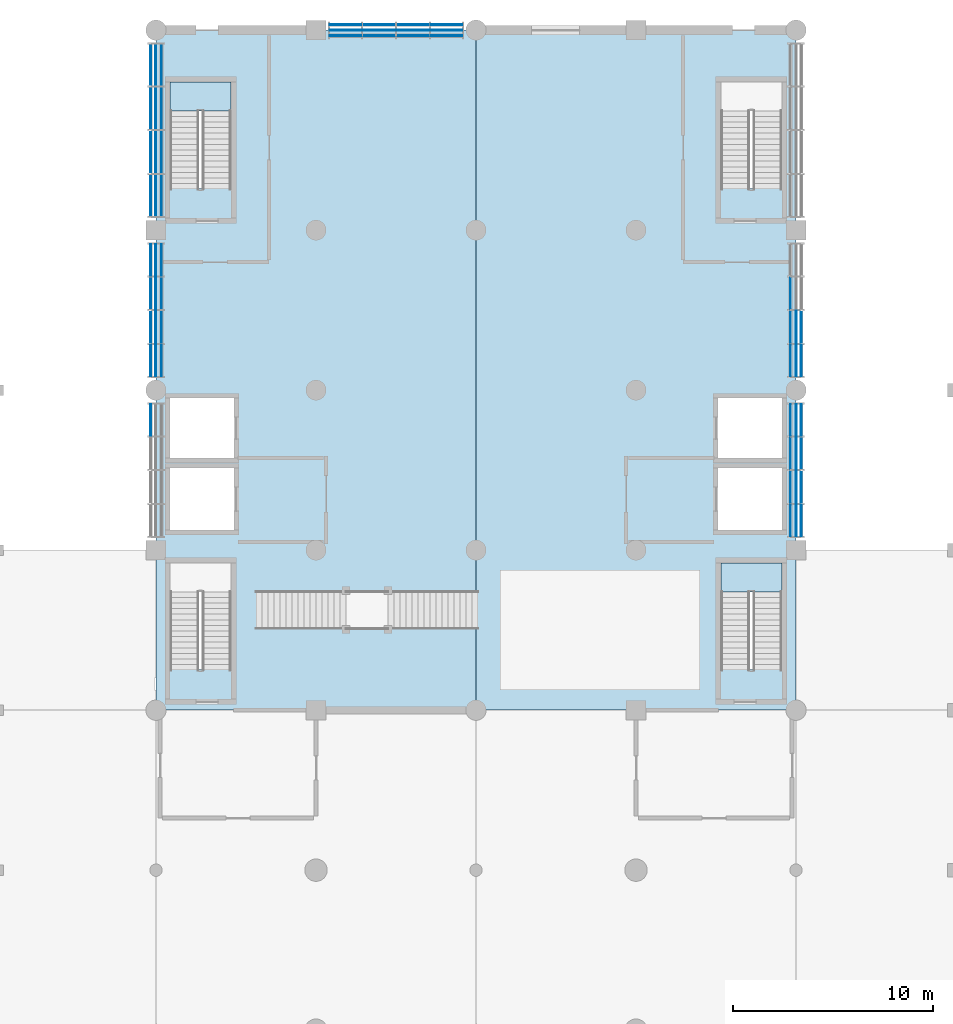
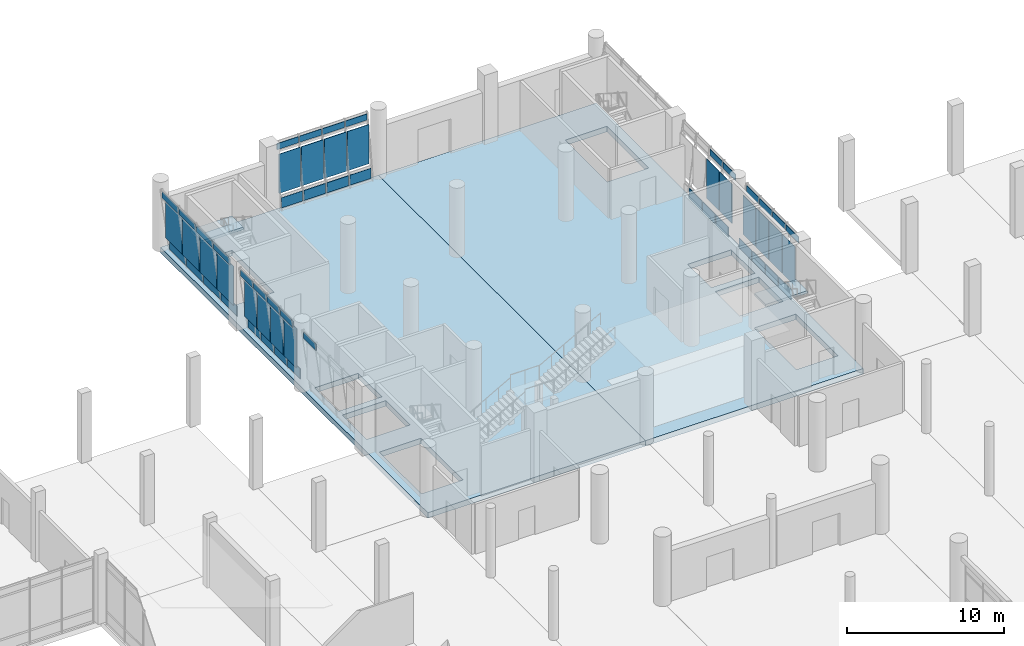
# One storey, part 18 of 42: 56 plates, 4 slabs, 8 elements without a shape of their own.
"""IFC4 building model written with IfcOpenShell, lengths in metres."""

from ifc_helpers import new_model, si_unit, direction, frame, origin, origin_2d, place, context, subcontext, project, spatial, polyline, rectangle, outline, extrude, material, layer, layer_set, type_object, element, aggregate, save


model = new_model("IFC4")

# Units and contexts
model_context = context("Model", 3, precision=1e-05, world=origin(), true_north=direction((0.0, 1.0)))
body_context = subcontext(model_context, "Body", "Model", "MODEL_VIEW")
ifc_project = project(units=[si_unit("LENGTHUNIT", "METRE"), si_unit("AREAUNIT", "SQUARE_METRE"), si_unit("VOLUMEUNIT", "CUBIC_METRE"), si_unit("PLANEANGLEUNIT", "RADIAN"), si_unit("MASSUNIT", "GRAM", prefix="KILO")], contexts=[model_context])

# Site, building, storey
site_placement = place(None, origin())
site = spatial("IfcSite", under=ifc_project, at=site_placement, CompositionType="ELEMENT")
building_placement = place(site_placement, origin())
building = spatial("IfcBuilding", under=site, at=building_placement, Name="Pecanmere Concourse Central Library", CompositionType="ELEMENT")
storey_placement = place(building_placement, origin())
storey = spatial("IfcBuildingStorey", under=building, at=storey_placement, Name="L01", CompositionType="ELEMENT", Elevation=0.0)

# Curtain wall, plates
ifc_material_1 = material(Name="Anodized bronze aluminium alloy 6063-T6", Category="aluminium")
curtain_wall_type = type_object("IfcCurtainWallType", Name="CW_LEAN_BANDED", PredefinedType="USERDEFINED", material=ifc_material_1)
curtain_wall_1_placement = place(storey_placement, origin())
curtain_wall_1 = element("IfcCurtainWall", 1, at=curtain_wall_1_placement, inside=storey, type_object=curtain_wall_type, Name="Unitised Curtain Wall CW-01 L01-001", ObjectType="UNITISED CURTAIN WALL", PredefinedType="USERDEFINED")
ifc_material_2 = material(Name="White ceramic-fritted insulated spandrel glazing", Category="glass")
ifc_layer_1 = layer(ifc_material_2, 0.06396484375, Name="CWP_SPN_64")
ifc_layer_set_1 = layer_set([ifc_layer_1], Name="White ceramic-fritted insulated spandrel glazing")
plate_type_1 = type_object("IfcPlateType", Name="CWP_SPN_64", PredefinedType="CURTAIN_PANEL", material=ifc_layer_set_1)
plate_1_placement = place(storey_placement, frame((86.516357421875, 123.72607421875, 0.18017578125), z_axis=(0.0, 0.0, 1.0), x_axis=(-1.0, 0.0, 0.0)))
plate_1 = element("IfcPlate", 2, at=plate_1_placement, type_object=plate_type_1, Name="CW-01 Spandrel Panel 1.1", PredefinedType="CURTAIN_PANEL", context=body_context, shape_type="SweptSolid", body=[
    extrude(rectangle(XDim=1.577392578125, YDim=0.0419921875, at=origin_2d()), origin(), (0.0, 0.0, 1.0), 0.780029296875),
])
plate_2_placement = place(storey_placement, frame((84.844970703125, 123.72607421875, 0.18017578125), z_axis=(0.0, 0.0, 1.0), x_axis=(-1.0, 0.0, 0.0)))
plate_2 = element("IfcPlate", 3, at=plate_2_placement, type_object=plate_type_1, Name="CW-01 Spandrel Panel 2.1", PredefinedType="CURTAIN_PANEL", context=body_context, shape_type="SweptSolid", body=[
    extrude(rectangle(XDim=1.614990234375, YDim=0.0419921875, at=origin_2d()), origin(), (0.0, 0.0, 1.0), 0.780029296875),
])
plate_3_placement = place(storey_placement, frame((83.155029296875, 123.72607421875, 0.18017578125), z_axis=(0.0, 0.0, 1.0), x_axis=(-1.0, 0.0, 0.0)))
plate_3 = element("IfcPlate", 4, at=plate_3_placement, type_object=plate_type_1, Name="CW-01 Spandrel Panel 3.1", PredefinedType="CURTAIN_PANEL", context=body_context, shape_type="SweptSolid", body=[
    extrude(rectangle(XDim=1.614990234375, YDim=0.0419921875, at=origin_2d()), origin(), (0.0, 0.0, 1.0), 0.780029296875),
])
plate_4_placement = place(storey_placement, frame((81.483642578125, 123.72607421875, 0.18017578125), z_axis=(0.0, 0.0, 1.0), x_axis=(-1.0, 0.0, 0.0)))
plate_4 = element("IfcPlate", 5, at=plate_4_placement, type_object=plate_type_1, Name="CW-01 Spandrel Panel 4.1", PredefinedType="CURTAIN_PANEL", context=body_context, shape_type="SweptSolid", body=[
    extrude(rectangle(XDim=1.577392578125, YDim=0.0419921875, at=origin_2d()), origin(), (0.0, 0.0, 1.0), 0.780029296875),
])

curtain_wall_2_placement = place(storey_placement, origin())
curtain_wall_2 = element("IfcCurtainWall", 6, at=curtain_wall_2_placement, inside=storey, type_object=curtain_wall_type, Name="Unitised Curtain Wall CW-01 L01-002", ObjectType="UNITISED CURTAIN WALL", PredefinedType="USERDEFINED")
plate_5_placement = place(storey_placement, frame((103.72607421875, 99.483642578125, 0.18017578125), z_axis=(0.0, 0.0, 1.0), x_axis=(0.0, 1.0, 0.0)))
plate_5 = element("IfcPlate", 7, at=plate_5_placement, type_object=plate_type_1, Name="CW-01 Spandrel Panel 1.1", PredefinedType="CURTAIN_PANEL", context=body_context, shape_type="SweptSolid", body=[
    extrude(rectangle(XDim=1.577392578125, YDim=0.0419921875, at=origin_2d()), origin(), (0.0, 0.0, 1.0), 0.780029296875),
])
plate_6_placement = place(storey_placement, frame((103.72607421875, 101.155029296875, 0.18017578125), z_axis=(0.0, 0.0, 1.0), x_axis=(0.0, 1.0, 0.0)))
plate_6 = element("IfcPlate", 8, at=plate_6_placement, type_object=plate_type_1, Name="CW-01 Spandrel Panel 2.1", PredefinedType="CURTAIN_PANEL", context=body_context, shape_type="SweptSolid", body=[
    extrude(rectangle(XDim=1.614990234375, YDim=0.0419921875, at=origin_2d()), origin(), (0.0, 0.0, 1.0), 0.780029296875),
])
plate_7_placement = place(storey_placement, frame((103.72607421875, 102.844970703125, 0.18017578125), z_axis=(0.0, 0.0, 1.0), x_axis=(0.0, 1.0, 0.0)))
plate_7 = element("IfcPlate", 9, at=plate_7_placement, type_object=plate_type_1, Name="CW-01 Spandrel Panel 3.1", PredefinedType="CURTAIN_PANEL", context=body_context, shape_type="SweptSolid", body=[
    extrude(rectangle(XDim=1.614990234375, YDim=0.0419921875, at=origin_2d()), origin(), (0.0, 0.0, 1.0), 0.780029296875),
])
plate_8_placement = place(storey_placement, frame((103.72607421875, 104.516357421875, 0.18017578125), z_axis=(0.0, 0.0, 1.0), x_axis=(0.0, 1.0, 0.0)))
plate_8 = element("IfcPlate", 10, at=plate_8_placement, type_object=plate_type_1, Name="CW-01 Spandrel Panel 4.1", PredefinedType="CURTAIN_PANEL", context=body_context, shape_type="SweptSolid", body=[
    extrude(rectangle(XDim=1.577392578125, YDim=0.0419921875, at=origin_2d()), origin(), (0.0, 0.0, 1.0), 0.780029296875),
])

curtain_wall_3_placement = place(storey_placement, origin())
curtain_wall_3 = element("IfcCurtainWall", 11, at=curtain_wall_3_placement, inside=storey, type_object=curtain_wall_type, Name="Unitised Curtain Wall CW-01 L01-003", ObjectType="UNITISED CURTAIN WALL", PredefinedType="USERDEFINED")
plate_9_placement = place(storey_placement, frame((103.72607421875, 107.483642578125, 0.18017578125), z_axis=(0.0, 0.0, 1.0), x_axis=(0.0, 1.0, 0.0)))
plate_9 = element("IfcPlate", 12, at=plate_9_placement, type_object=plate_type_1, Name="CW-01 Spandrel Panel 1.1", PredefinedType="CURTAIN_PANEL", context=body_context, shape_type="SweptSolid", body=[
    extrude(rectangle(XDim=1.577392578125, YDim=0.0419921875, at=origin_2d()), origin(), (0.0, 0.0, 1.0), 0.780029296875),
])
plate_10_placement = place(storey_placement, frame((103.72607421875, 109.155029296875, 0.18017578125), z_axis=(0.0, 0.0, 1.0), x_axis=(0.0, 1.0, 0.0)))
plate_10 = element("IfcPlate", 13, at=plate_10_placement, type_object=plate_type_1, Name="CW-01 Spandrel Panel 2.1", PredefinedType="CURTAIN_PANEL", context=body_context, shape_type="SweptSolid", body=[
    extrude(rectangle(XDim=1.614990234375, YDim=0.0419921875, at=origin_2d()), origin(), (0.0, 0.0, 1.0), 0.780029296875),
])
plate_11_placement = place(storey_placement, frame((103.72607421875, 110.844970703125, 0.18017578125), z_axis=(0.0, 0.0, 1.0), x_axis=(0.0, 1.0, 0.0)))
plate_11 = element("IfcPlate", 14, at=plate_11_placement, type_object=plate_type_1, Name="CW-01 Spandrel Panel 3.1", PredefinedType="CURTAIN_PANEL", context=body_context, shape_type="SweptSolid", body=[
    extrude(rectangle(XDim=1.614990234375, YDim=0.0419921875, at=origin_2d()), origin(), (0.0, 0.0, 1.0), 0.780029296875),
])

curtain_wall_4_placement = place(storey_placement, origin())
curtain_wall_4 = element("IfcCurtainWall", 15, at=curtain_wall_4_placement, inside=storey, type_object=curtain_wall_type, Name="Unitised Curtain Wall CW-01 L01-005", ObjectType="UNITISED CURTAIN WALL", PredefinedType="USERDEFINED")
plate_12_placement = place(storey_placement, frame((72.27392578125, 122.266357421875, 0.18017578125), z_axis=(0.0, 0.0, 1.0), x_axis=(0.0, -1.0, 0.0)))
plate_12 = element("IfcPlate", 16, at=plate_12_placement, type_object=plate_type_1, Name="CW-01 Spandrel Panel 1.1", PredefinedType="CURTAIN_PANEL", context=body_context, shape_type="SweptSolid", body=[
    extrude(rectangle(XDim=2.077392578125, YDim=0.0419921875, at=origin_2d()), origin(), (0.0, 0.0, 1.0), 0.780029296875),
])
plate_13_placement = place(storey_placement, frame((72.27392578125, 120.094970703125, 0.18017578125), z_axis=(0.0, 0.0, 1.0), x_axis=(0.0, -1.0, 0.0)))
plate_13 = element("IfcPlate", 17, at=plate_13_placement, type_object=plate_type_1, Name="CW-01 Spandrel Panel 2.1", PredefinedType="CURTAIN_PANEL", context=body_context, shape_type="SweptSolid", body=[
    extrude(rectangle(XDim=2.114990234375, YDim=0.0419921875, at=origin_2d()), origin(), (0.0, 0.0, 1.0), 0.780029296875),
])
plate_14_placement = place(storey_placement, frame((72.27392578125, 117.905029296875, 0.18017578125), z_axis=(0.0, 0.0, 1.0), x_axis=(0.0, -1.0, 0.0)))
plate_14 = element("IfcPlate", 18, at=plate_14_placement, type_object=plate_type_1, Name="CW-01 Spandrel Panel 3.1", PredefinedType="CURTAIN_PANEL", context=body_context, shape_type="SweptSolid", body=[
    extrude(rectangle(XDim=2.114990234375, YDim=0.0419921875, at=origin_2d()), origin(), (0.0, 0.0, 1.0), 0.780029296875),
])
plate_15_placement = place(storey_placement, frame((72.27392578125, 115.733642578125, 0.18017578125), z_axis=(0.0, 0.0, 1.0), x_axis=(0.0, -1.0, 0.0)))
plate_15 = element("IfcPlate", 19, at=plate_15_placement, type_object=plate_type_1, Name="CW-01 Spandrel Panel 4.1", PredefinedType="CURTAIN_PANEL", context=body_context, shape_type="SweptSolid", body=[
    extrude(rectangle(XDim=2.077392578125, YDim=0.0419921875, at=origin_2d()), origin(), (0.0, 0.0, 1.0), 0.780029296875),
])

curtain_wall_5_placement = place(storey_placement, origin())
curtain_wall_5 = element("IfcCurtainWall", 20, at=curtain_wall_5_placement, inside=storey, type_object=curtain_wall_type, Name="Unitised Curtain Wall CW-01 L01-006", ObjectType="UNITISED CURTAIN WALL", PredefinedType="USERDEFINED")
plate_16_placement = place(storey_placement, frame((72.27392578125, 112.516357421875, 0.18017578125), z_axis=(0.0, 0.0, 1.0), x_axis=(0.0, -1.0, 0.0)))
plate_16 = element("IfcPlate", 21, at=plate_16_placement, type_object=plate_type_1, Name="CW-01 Spandrel Panel 1.1", PredefinedType="CURTAIN_PANEL", context=body_context, shape_type="SweptSolid", body=[
    extrude(rectangle(XDim=1.577392578125, YDim=0.0419921875, at=origin_2d()), origin(), (0.0, 0.0, 1.0), 0.780029296875),
])
plate_17_placement = place(storey_placement, frame((72.27392578125, 110.844970703125, 0.18017578125), z_axis=(0.0, 0.0, 1.0), x_axis=(0.0, -1.0, 0.0)))
plate_17 = element("IfcPlate", 22, at=plate_17_placement, type_object=plate_type_1, Name="CW-01 Spandrel Panel 2.1", PredefinedType="CURTAIN_PANEL", context=body_context, shape_type="SweptSolid", body=[
    extrude(rectangle(XDim=1.614990234375, YDim=0.0419921875, at=origin_2d()), origin(), (0.0, 0.0, 1.0), 0.780029296875),
])
plate_18_placement = place(storey_placement, frame((72.27392578125, 109.155029296875, 0.18017578125), z_axis=(0.0, 0.0, 1.0), x_axis=(0.0, -1.0, 0.0)))
plate_18 = element("IfcPlate", 23, at=plate_18_placement, type_object=plate_type_1, Name="CW-01 Spandrel Panel 3.1", PredefinedType="CURTAIN_PANEL", context=body_context, shape_type="SweptSolid", body=[
    extrude(rectangle(XDim=1.614990234375, YDim=0.0419921875, at=origin_2d()), origin(), (0.0, 0.0, 1.0), 0.780029296875),
])
plate_19_placement = place(storey_placement, frame((72.27392578125, 107.483642578125, 0.18017578125), z_axis=(0.0, 0.0, 1.0), x_axis=(0.0, -1.0, 0.0)))
plate_19 = element("IfcPlate", 24, at=plate_19_placement, type_object=plate_type_1, Name="CW-01 Spandrel Panel 4.1", PredefinedType="CURTAIN_PANEL", context=body_context, shape_type="SweptSolid", body=[
    extrude(rectangle(XDim=1.577392578125, YDim=0.0419921875, at=origin_2d()), origin(), (0.0, 0.0, 1.0), 0.780029296875),
])

# Plate
ifc_material_3 = material(Name="Low-iron clear insulated glazing", Category="glass")
ifc_layer_2 = layer(ifc_material_3, 0.0419921875, Name="CWP_VIS_42")
ifc_layer_set_2 = layer_set([ifc_layer_2], Name="Low-iron clear insulated glazing")
plate_type_2 = type_object("IfcPlateType", Name="CWP_VIS_42", PredefinedType="CURTAIN_PANEL", material=ifc_layer_set_2)
plate_20_placement = place(storey_placement, frame((86.516357421875, 124.005615234375, 1.14013671875), z_axis=(0.0, 0.0, 1.0), x_axis=(-1.0, 0.0, 0.0)))
plate_20 = element("IfcPlate", 25, at=plate_20_placement, type_object=plate_type_2, Name="CW-01 Vision Panel 1.2", PredefinedType="CURTAIN_PANEL", context=body_context, shape_type="SweptSolid", body=[
    extrude(rectangle(XDim=1.577392578125, YDim=0.0419921875, at=origin_2d()), origin(), (0.0, 0.0, 1.0), 3.050048828125),
])

plate_21_placement = place(storey_placement, frame((86.516357421875, 124.26513671875, 4.3701171875), z_axis=(0.0, 0.0, 1.0), x_axis=(-1.0, 0.0, 0.0)))
plate_21 = element("IfcPlate", 26, at=plate_21_placement, type_object=plate_type_2, Name="CW-01 Vision Panel 1.3", PredefinedType="CURTAIN_PANEL", context=body_context, shape_type="SweptSolid", body=[
    extrude(rectangle(XDim=1.577392578125, YDim=0.0419921875, at=origin_2d()), origin(), (0.0, 0.0, 1.0), 0.47998046875),
])

plate_22_placement = place(storey_placement, frame((84.844970703125, 124.005615234375, 1.14013671875), z_axis=(0.0, 0.0, 1.0), x_axis=(-1.0, 0.0, 0.0)))
plate_22 = element("IfcPlate", 27, at=plate_22_placement, type_object=plate_type_2, Name="CW-01 Vision Panel 2.2", PredefinedType="CURTAIN_PANEL", context=body_context, shape_type="SweptSolid", body=[
    extrude(rectangle(XDim=1.614990234375, YDim=0.0419921875, at=origin_2d()), origin(), (0.0, 0.0, 1.0), 3.050048828125),
])

plate_23_placement = place(storey_placement, frame((84.844970703125, 124.26513671875, 4.3701171875), z_axis=(0.0, 0.0, 1.0), x_axis=(-1.0, 0.0, 0.0)))
plate_23 = element("IfcPlate", 28, at=plate_23_placement, type_object=plate_type_2, Name="CW-01 Vision Panel 2.3", PredefinedType="CURTAIN_PANEL", context=body_context, shape_type="SweptSolid", body=[
    extrude(rectangle(XDim=1.614990234375, YDim=0.0419921875, at=origin_2d()), origin(), (0.0, 0.0, 1.0), 0.47998046875),
])

plate_24_placement = place(storey_placement, frame((83.155029296875, 124.005615234375, 1.14013671875), z_axis=(0.0, 0.0, 1.0), x_axis=(-1.0, 0.0, 0.0)))
plate_24 = element("IfcPlate", 29, at=plate_24_placement, type_object=plate_type_2, Name="CW-01 Vision Panel 3.2", PredefinedType="CURTAIN_PANEL", context=body_context, shape_type="SweptSolid", body=[
    extrude(rectangle(XDim=1.614990234375, YDim=0.0419921875, at=origin_2d()), origin(), (0.0, 0.0, 1.0), 3.050048828125),
])

plate_25_placement = place(storey_placement, frame((83.155029296875, 124.26513671875, 4.3701171875), z_axis=(0.0, 0.0, 1.0), x_axis=(-1.0, 0.0, 0.0)))
plate_25 = element("IfcPlate", 30, at=plate_25_placement, type_object=plate_type_2, Name="CW-01 Vision Panel 3.3", PredefinedType="CURTAIN_PANEL", context=body_context, shape_type="SweptSolid", body=[
    extrude(rectangle(XDim=1.614990234375, YDim=0.0419921875, at=origin_2d()), origin(), (0.0, 0.0, 1.0), 0.47998046875),
])

plate_26_placement = place(storey_placement, frame((81.483642578125, 124.005615234375, 1.14013671875), z_axis=(0.0, 0.0, 1.0), x_axis=(-1.0, 0.0, 0.0)))
plate_26 = element("IfcPlate", 31, at=plate_26_placement, type_object=plate_type_2, Name="CW-01 Vision Panel 4.2", PredefinedType="CURTAIN_PANEL", context=body_context, shape_type="SweptSolid", body=[
    extrude(rectangle(XDim=1.577392578125, YDim=0.0419921875, at=origin_2d()), origin(), (0.0, 0.0, 1.0), 3.050048828125),
])

plate_27_placement = place(storey_placement, frame((81.483642578125, 124.26513671875, 4.3701171875), z_axis=(0.0, 0.0, 1.0), x_axis=(-1.0, 0.0, 0.0)))
plate_27 = element("IfcPlate", 32, at=plate_27_placement, type_object=plate_type_2, Name="CW-01 Vision Panel 4.3", PredefinedType="CURTAIN_PANEL", context=body_context, shape_type="SweptSolid", body=[
    extrude(rectangle(XDim=1.577392578125, YDim=0.0419921875, at=origin_2d()), origin(), (0.0, 0.0, 1.0), 0.47998046875),
])

aggregate(curtain_wall_1, [plate_1, plate_20, plate_21, plate_2, plate_22, plate_23, plate_3, plate_24, plate_25, plate_4, plate_26, plate_27])

plate_28_placement = place(storey_placement, frame((104.005615234375, 99.483642578125, 1.14013671875), z_axis=(0.0, 0.0, 1.0), x_axis=(0.0, 1.0, 0.0)))
plate_28 = element("IfcPlate", 33, at=plate_28_placement, type_object=plate_type_2, Name="CW-01 Vision Panel 1.2", PredefinedType="CURTAIN_PANEL", context=body_context, shape_type="SweptSolid", body=[
    extrude(rectangle(XDim=1.577392578125, YDim=0.0419921875, at=origin_2d()), origin(), (0.0, 0.0, 1.0), 3.050048828125),
])

plate_29_placement = place(storey_placement, frame((104.26513671875, 99.483642578125, 4.3701171875), z_axis=(0.0, 0.0, 1.0), x_axis=(0.0, 1.0, 0.0)))
plate_29 = element("IfcPlate", 34, at=plate_29_placement, type_object=plate_type_2, Name="CW-01 Vision Panel 1.3", PredefinedType="CURTAIN_PANEL", context=body_context, shape_type="SweptSolid", body=[
    extrude(rectangle(XDim=1.577392578125, YDim=0.0419921875, at=origin_2d()), origin(), (0.0, 0.0, 1.0), 0.47998046875),
])

plate_30_placement = place(storey_placement, frame((104.005615234375, 101.155029296875, 1.14013671875), z_axis=(0.0, 0.0, 1.0), x_axis=(0.0, 1.0, 0.0)))
plate_30 = element("IfcPlate", 35, at=plate_30_placement, type_object=plate_type_2, Name="CW-01 Vision Panel 2.2", PredefinedType="CURTAIN_PANEL", context=body_context, shape_type="SweptSolid", body=[
    extrude(rectangle(XDim=1.614990234375, YDim=0.0419921875, at=origin_2d()), origin(), (0.0, 0.0, 1.0), 3.050048828125),
])

plate_31_placement = place(storey_placement, frame((104.26513671875, 101.155029296875, 4.3701171875), z_axis=(0.0, 0.0, 1.0), x_axis=(0.0, 1.0, 0.0)))
plate_31 = element("IfcPlate", 36, at=plate_31_placement, type_object=plate_type_2, Name="CW-01 Vision Panel 2.3", PredefinedType="CURTAIN_PANEL", context=body_context, shape_type="SweptSolid", body=[
    extrude(rectangle(XDim=1.614990234375, YDim=0.0419921875, at=origin_2d()), origin(), (0.0, 0.0, 1.0), 0.47998046875),
])

plate_32_placement = place(storey_placement, frame((104.005615234375, 102.844970703125, 1.14013671875), z_axis=(0.0, 0.0, 1.0), x_axis=(0.0, 1.0, 0.0)))
plate_32 = element("IfcPlate", 37, at=plate_32_placement, type_object=plate_type_2, Name="CW-01 Vision Panel 3.2", PredefinedType="CURTAIN_PANEL", context=body_context, shape_type="SweptSolid", body=[
    extrude(rectangle(XDim=1.614990234375, YDim=0.0419921875, at=origin_2d()), origin(), (0.0, 0.0, 1.0), 3.050048828125),
])

plate_33_placement = place(storey_placement, frame((104.26513671875, 102.844970703125, 4.3701171875), z_axis=(0.0, 0.0, 1.0), x_axis=(0.0, 1.0, 0.0)))
plate_33 = element("IfcPlate", 38, at=plate_33_placement, type_object=plate_type_2, Name="CW-01 Vision Panel 3.3", PredefinedType="CURTAIN_PANEL", context=body_context, shape_type="SweptSolid", body=[
    extrude(rectangle(XDim=1.614990234375, YDim=0.0419921875, at=origin_2d()), origin(), (0.0, 0.0, 1.0), 0.47998046875),
])

plate_34_placement = place(storey_placement, frame((104.005615234375, 104.516357421875, 1.14013671875), z_axis=(0.0, 0.0, 1.0), x_axis=(0.0, 1.0, 0.0)))
plate_34 = element("IfcPlate", 39, at=plate_34_placement, type_object=plate_type_2, Name="CW-01 Vision Panel 4.2", PredefinedType="CURTAIN_PANEL", context=body_context, shape_type="SweptSolid", body=[
    extrude(rectangle(XDim=1.577392578125, YDim=0.0419921875, at=origin_2d()), origin(), (0.0, 0.0, 1.0), 3.050048828125),
])

plate_35_placement = place(storey_placement, frame((104.26513671875, 104.516357421875, 4.3701171875), z_axis=(0.0, 0.0, 1.0), x_axis=(0.0, 1.0, 0.0)))
plate_35 = element("IfcPlate", 40, at=plate_35_placement, type_object=plate_type_2, Name="CW-01 Vision Panel 4.3", PredefinedType="CURTAIN_PANEL", context=body_context, shape_type="SweptSolid", body=[
    extrude(rectangle(XDim=1.577392578125, YDim=0.0419921875, at=origin_2d()), origin(), (0.0, 0.0, 1.0), 0.47998046875),
])

aggregate(curtain_wall_2, [plate_5, plate_28, plate_29, plate_6, plate_30, plate_31, plate_7, plate_32, plate_33, plate_8, plate_34, plate_35])

plate_36_placement = place(storey_placement, frame((104.005615234375, 107.483642578125, 1.14013671875), z_axis=(0.0, 0.0, 1.0), x_axis=(0.0, 1.0, 0.0)))
plate_36 = element("IfcPlate", 41, at=plate_36_placement, type_object=plate_type_2, Name="CW-01 Vision Panel 1.2", PredefinedType="CURTAIN_PANEL", context=body_context, shape_type="SweptSolid", body=[
    extrude(rectangle(XDim=1.577392578125, YDim=0.0419921875, at=origin_2d()), origin(), (0.0, 0.0, 1.0), 3.050048828125),
])

plate_37_placement = place(storey_placement, frame((104.26513671875, 107.483642578125, 4.3701171875), z_axis=(0.0, 0.0, 1.0), x_axis=(0.0, 1.0, 0.0)))
plate_37 = element("IfcPlate", 42, at=plate_37_placement, type_object=plate_type_2, Name="CW-01 Vision Panel 1.3", PredefinedType="CURTAIN_PANEL", context=body_context, shape_type="SweptSolid", body=[
    extrude(rectangle(XDim=1.577392578125, YDim=0.0419921875, at=origin_2d()), origin(), (0.0, 0.0, 1.0), 0.47998046875),
])

plate_38_placement = place(storey_placement, frame((104.005615234375, 109.155029296875, 1.14013671875), z_axis=(0.0, 0.0, 1.0), x_axis=(0.0, 1.0, 0.0)))
plate_38 = element("IfcPlate", 43, at=plate_38_placement, type_object=plate_type_2, Name="CW-01 Vision Panel 2.2", PredefinedType="CURTAIN_PANEL", context=body_context, shape_type="SweptSolid", body=[
    extrude(rectangle(XDim=1.614990234375, YDim=0.0419921875, at=origin_2d()), origin(), (0.0, 0.0, 1.0), 3.050048828125),
])

plate_39_placement = place(storey_placement, frame((104.26513671875, 109.155029296875, 4.3701171875), z_axis=(0.0, 0.0, 1.0), x_axis=(0.0, 1.0, 0.0)))
plate_39 = element("IfcPlate", 44, at=plate_39_placement, type_object=plate_type_2, Name="CW-01 Vision Panel 2.3", PredefinedType="CURTAIN_PANEL", context=body_context, shape_type="SweptSolid", body=[
    extrude(rectangle(XDim=1.614990234375, YDim=0.0419921875, at=origin_2d()), origin(), (0.0, 0.0, 1.0), 0.47998046875),
])

aggregate(curtain_wall_3, [plate_9, plate_36, plate_37, plate_10, plate_38, plate_39, plate_11])

plate_40_placement = place(storey_placement, frame((71.994384765625, 122.266357421875, 1.14013671875), z_axis=(0.0, 0.0, 1.0), x_axis=(0.0, -1.0, 0.0)))
plate_40 = element("IfcPlate", 45, at=plate_40_placement, type_object=plate_type_2, Name="CW-01 Vision Panel 1.2", PredefinedType="CURTAIN_PANEL", context=body_context, shape_type="SweptSolid", body=[
    extrude(rectangle(XDim=2.077392578125, YDim=0.0419921875, at=origin_2d()), origin(), (0.0, 0.0, 1.0), 3.050048828125),
])

plate_41_placement = place(storey_placement, frame((71.73486328125, 122.266357421875, 4.3701171875), z_axis=(0.0, 0.0, 1.0), x_axis=(0.0, -1.0, 0.0)))
plate_41 = element("IfcPlate", 46, at=plate_41_placement, type_object=plate_type_2, Name="CW-01 Vision Panel 1.3", PredefinedType="CURTAIN_PANEL", context=body_context, shape_type="SweptSolid", body=[
    extrude(rectangle(XDim=2.077392578125, YDim=0.0419921875, at=origin_2d()), origin(), (0.0, 0.0, 1.0), 0.47998046875),
])

plate_42_placement = place(storey_placement, frame((71.994384765625, 120.094970703125, 1.14013671875), z_axis=(0.0, 0.0, 1.0), x_axis=(0.0, -1.0, 0.0)))
plate_42 = element("IfcPlate", 47, at=plate_42_placement, type_object=plate_type_2, Name="CW-01 Vision Panel 2.2", PredefinedType="CURTAIN_PANEL", context=body_context, shape_type="SweptSolid", body=[
    extrude(rectangle(XDim=2.114990234375, YDim=0.0419921875, at=origin_2d()), origin(), (0.0, 0.0, 1.0), 3.050048828125),
])

plate_43_placement = place(storey_placement, frame((71.73486328125, 120.094970703125, 4.3701171875), z_axis=(0.0, 0.0, 1.0), x_axis=(0.0, -1.0, 0.0)))
plate_43 = element("IfcPlate", 48, at=plate_43_placement, type_object=plate_type_2, Name="CW-01 Vision Panel 2.3", PredefinedType="CURTAIN_PANEL", context=body_context, shape_type="SweptSolid", body=[
    extrude(rectangle(XDim=2.114990234375, YDim=0.0419921875, at=origin_2d()), origin(), (0.0, 0.0, 1.0), 0.47998046875),
])

plate_44_placement = place(storey_placement, frame((71.994384765625, 117.905029296875, 1.14013671875), z_axis=(0.0, 0.0, 1.0), x_axis=(0.0, -1.0, 0.0)))
plate_44 = element("IfcPlate", 49, at=plate_44_placement, type_object=plate_type_2, Name="CW-01 Vision Panel 3.2", PredefinedType="CURTAIN_PANEL", context=body_context, shape_type="SweptSolid", body=[
    extrude(rectangle(XDim=2.114990234375, YDim=0.0419921875, at=origin_2d()), origin(), (0.0, 0.0, 1.0), 3.050048828125),
])

plate_45_placement = place(storey_placement, frame((71.73486328125, 117.905029296875, 4.3701171875), z_axis=(0.0, 0.0, 1.0), x_axis=(0.0, -1.0, 0.0)))
plate_45 = element("IfcPlate", 50, at=plate_45_placement, type_object=plate_type_2, Name="CW-01 Vision Panel 3.3", PredefinedType="CURTAIN_PANEL", context=body_context, shape_type="SweptSolid", body=[
    extrude(rectangle(XDim=2.114990234375, YDim=0.0419921875, at=origin_2d()), origin(), (0.0, 0.0, 1.0), 0.47998046875),
])

plate_46_placement = place(storey_placement, frame((71.994384765625, 115.733642578125, 1.14013671875), z_axis=(0.0, 0.0, 1.0), x_axis=(0.0, -1.0, 0.0)))
plate_46 = element("IfcPlate", 51, at=plate_46_placement, type_object=plate_type_2, Name="CW-01 Vision Panel 4.2", PredefinedType="CURTAIN_PANEL", context=body_context, shape_type="SweptSolid", body=[
    extrude(rectangle(XDim=2.077392578125, YDim=0.0419921875, at=origin_2d()), origin(), (0.0, 0.0, 1.0), 3.050048828125),
])

plate_47_placement = place(storey_placement, frame((71.73486328125, 115.733642578125, 4.3701171875), z_axis=(0.0, 0.0, 1.0), x_axis=(0.0, -1.0, 0.0)))
plate_47 = element("IfcPlate", 52, at=plate_47_placement, type_object=plate_type_2, Name="CW-01 Vision Panel 4.3", PredefinedType="CURTAIN_PANEL", context=body_context, shape_type="SweptSolid", body=[
    extrude(rectangle(XDim=2.077392578125, YDim=0.0419921875, at=origin_2d()), origin(), (0.0, 0.0, 1.0), 0.47998046875),
])

aggregate(curtain_wall_4, [plate_12, plate_40, plate_41, plate_13, plate_42, plate_43, plate_14, plate_44, plate_45, plate_15, plate_46, plate_47])

plate_48_placement = place(storey_placement, frame((71.994384765625, 112.516357421875, 1.14013671875), z_axis=(0.0, 0.0, 1.0), x_axis=(0.0, -1.0, 0.0)))
plate_48 = element("IfcPlate", 53, at=plate_48_placement, type_object=plate_type_2, Name="CW-01 Vision Panel 1.2", PredefinedType="CURTAIN_PANEL", context=body_context, shape_type="SweptSolid", body=[
    extrude(rectangle(XDim=1.577392578125, YDim=0.0419921875, at=origin_2d()), origin(), (0.0, 0.0, 1.0), 3.050048828125),
])

plate_49_placement = place(storey_placement, frame((71.73486328125, 112.516357421875, 4.3701171875), z_axis=(0.0, 0.0, 1.0), x_axis=(0.0, -1.0, 0.0)))
plate_49 = element("IfcPlate", 54, at=plate_49_placement, type_object=plate_type_2, Name="CW-01 Vision Panel 1.3", PredefinedType="CURTAIN_PANEL", context=body_context, shape_type="SweptSolid", body=[
    extrude(rectangle(XDim=1.577392578125, YDim=0.0419921875, at=origin_2d()), origin(), (0.0, 0.0, 1.0), 0.47998046875),
])

plate_50_placement = place(storey_placement, frame((71.994384765625, 110.844970703125, 1.14013671875), z_axis=(0.0, 0.0, 1.0), x_axis=(0.0, -1.0, 0.0)))
plate_50 = element("IfcPlate", 55, at=plate_50_placement, type_object=plate_type_2, Name="CW-01 Vision Panel 2.2", PredefinedType="CURTAIN_PANEL", context=body_context, shape_type="SweptSolid", body=[
    extrude(rectangle(XDim=1.614990234375, YDim=0.0419921875, at=origin_2d()), origin(), (0.0, 0.0, 1.0), 3.050048828125),
])

plate_51_placement = place(storey_placement, frame((71.73486328125, 110.844970703125, 4.3701171875), z_axis=(0.0, 0.0, 1.0), x_axis=(0.0, -1.0, 0.0)))
plate_51 = element("IfcPlate", 56, at=plate_51_placement, type_object=plate_type_2, Name="CW-01 Vision Panel 2.3", PredefinedType="CURTAIN_PANEL", context=body_context, shape_type="SweptSolid", body=[
    extrude(rectangle(XDim=1.614990234375, YDim=0.0419921875, at=origin_2d()), origin(), (0.0, 0.0, 1.0), 0.47998046875),
])

plate_52_placement = place(storey_placement, frame((71.994384765625, 109.155029296875, 1.14013671875), z_axis=(0.0, 0.0, 1.0), x_axis=(0.0, -1.0, 0.0)))
plate_52 = element("IfcPlate", 57, at=plate_52_placement, type_object=plate_type_2, Name="CW-01 Vision Panel 3.2", PredefinedType="CURTAIN_PANEL", context=body_context, shape_type="SweptSolid", body=[
    extrude(rectangle(XDim=1.614990234375, YDim=0.0419921875, at=origin_2d()), origin(), (0.0, 0.0, 1.0), 3.050048828125),
])

plate_53_placement = place(storey_placement, frame((71.73486328125, 109.155029296875, 4.3701171875), z_axis=(0.0, 0.0, 1.0), x_axis=(0.0, -1.0, 0.0)))
plate_53 = element("IfcPlate", 58, at=plate_53_placement, type_object=plate_type_2, Name="CW-01 Vision Panel 3.3", PredefinedType="CURTAIN_PANEL", context=body_context, shape_type="SweptSolid", body=[
    extrude(rectangle(XDim=1.614990234375, YDim=0.0419921875, at=origin_2d()), origin(), (0.0, 0.0, 1.0), 0.47998046875),
])

plate_54_placement = place(storey_placement, frame((71.994384765625, 107.483642578125, 1.14013671875), z_axis=(0.0, 0.0, 1.0), x_axis=(0.0, -1.0, 0.0)))
plate_54 = element("IfcPlate", 59, at=plate_54_placement, type_object=plate_type_2, Name="CW-01 Vision Panel 4.2", PredefinedType="CURTAIN_PANEL", context=body_context, shape_type="SweptSolid", body=[
    extrude(rectangle(XDim=1.577392578125, YDim=0.0419921875, at=origin_2d()), origin(), (0.0, 0.0, 1.0), 3.050048828125),
])

plate_55_placement = place(storey_placement, frame((71.73486328125, 107.483642578125, 4.3701171875), z_axis=(0.0, 0.0, 1.0), x_axis=(0.0, -1.0, 0.0)))
plate_55 = element("IfcPlate", 60, at=plate_55_placement, type_object=plate_type_2, Name="CW-01 Vision Panel 4.3", PredefinedType="CURTAIN_PANEL", context=body_context, shape_type="SweptSolid", body=[
    extrude(rectangle(XDim=1.577392578125, YDim=0.0419921875, at=origin_2d()), origin(), (0.0, 0.0, 1.0), 0.47998046875),
])

aggregate(curtain_wall_5, [plate_16, plate_48, plate_49, plate_17, plate_50, plate_51, plate_18, plate_52, plate_53, plate_19, plate_54, plate_55])

# Curtain wall, plate
curtain_wall_6_placement = place(storey_placement, origin())
curtain_wall_6 = element("IfcCurtainWall", 61, at=curtain_wall_6_placement, inside=storey, type_object=curtain_wall_type, Name="Unitised Curtain Wall CW-01 L01-007", ObjectType="UNITISED CURTAIN WALL", PredefinedType="USERDEFINED")
plate_56_placement = place(storey_placement, frame((71.73486328125, 104.516357421875, 4.3701171875), z_axis=(0.0, 0.0, 1.0), x_axis=(0.0, -1.0, 0.0)))
plate_56 = element("IfcPlate", 62, at=plate_56_placement, type_object=plate_type_2, Name="CW-01 Vision Panel 1.3", PredefinedType="CURTAIN_PANEL", context=body_context, shape_type="SweptSolid", body=[
    extrude(rectangle(XDim=1.577392578125, YDim=0.0419921875, at=origin_2d()), origin(), (0.0, 0.0, 1.0), 0.47998046875),
])
aggregate(curtain_wall_6, [plate_56])

# Slabs
ifc_material_4 = material(Name="Concrete C35/45", Category="concrete")
ifc_layer_3 = layer(ifc_material_4, 0.419921875, Name="SLAB_GRADE_420")
ifc_layer_set_3 = layer_set([ifc_layer_3], Name="Concrete C35/45")
slab_type_1 = type_object("IfcSlabType", Name="SLAB_GRADE_420", PredefinedType="FLOOR", material=ifc_layer_set_3)
slab_1_placement = place(storey_placement, frame((0.0, 0.0, -0.419921875)))
element("IfcSlab", 63, at=slab_1_placement, inside=storey, type_object=slab_type_1, Name="Floor Slab V1 L01-033", PredefinedType="FLOOR", context=body_context, shape_type="SweptSolid", body=[
    extrude(outline(polyline([(72.0, 90.0), (72.0, 124.0), (88.0, 124.0), (88.0, 90.0), (72.0, 90.0)]), holes=[polyline([(75.760009765625, 97.3701171875), (72.699951171875, 97.3701171875), (72.699951171875, 92.030029296875), (75.760009765625, 92.030029296875), (75.760009765625, 97.3701171875)]), polyline([(75.89990234375, 102.10009765625), (72.699951171875, 102.10009765625), (72.699951171875, 99.0), (75.89990234375, 99.0), (75.89990234375, 102.10009765625)]), polyline([(75.89990234375, 105.60009765625), (72.699951171875, 105.60009765625), (72.699951171875, 102.60009765625), (75.89990234375, 102.60009765625), (75.89990234375, 105.60009765625)]), polyline([(75.760009765625, 121.419921875), (72.699951171875, 121.419921875), (72.699951171875, 116.080078125), (75.760009765625, 116.080078125), (75.760009765625, 121.419921875)])]), origin(), (0.0, 0.0, 1.0), 0.419921875),
])
slab_2_placement = place(storey_placement, frame((0.0, 0.0, -0.419921875)))
element("IfcSlab", 64, at=slab_2_placement, inside=storey, type_object=slab_type_1, Name="Floor Slab V1 L01-034", PredefinedType="FLOOR", context=body_context, shape_type="SweptSolid", body=[
    extrude(outline(polyline([(88.0, 124.0), (104.0, 124.0), (104.0, 90.0), (88.0, 90.0), (88.0, 124.0)]), holes=[polyline([(103.300048828125, 102.10009765625), (100.10009765625, 102.10009765625), (100.10009765625, 99.0), (103.300048828125, 99.0), (103.300048828125, 102.10009765625)]), polyline([(103.300048828125, 97.3701171875), (100.239990234375, 97.3701171875), (100.239990234375, 92.030029296875), (103.300048828125, 92.030029296875), (103.300048828125, 97.3701171875)]), polyline([(103.300048828125, 102.60009765625), (103.300048828125, 105.60009765625), (100.10009765625, 105.60009765625), (100.10009765625, 102.60009765625), (103.300048828125, 102.60009765625)]), polyline([(103.300048828125, 116.080078125), (103.300048828125, 121.419921875), (100.239990234375, 121.419921875), (100.239990234375, 116.080078125), (103.300048828125, 116.080078125)])]), origin(), (0.0, 0.0, 1.0), 0.419921875),
])

# Stair, slab
ifc_material_5 = material(Name="Concrete C35/45", Category="concrete")
stair_type_1 = type_object("IfcStairType", Name="STAIR_TYPE_ST-02-1800", PredefinedType="USERDEFINED", material=ifc_material_5)
stair_1_placement = place(storey_placement, origin())
stair_1 = element("IfcStair", 65, at=stair_1_placement, inside=storey, type_object=stair_type_1, Name="L01 Protected Stair ST-02", ObjectType="TWO_RETURN_STAIR", PredefinedType="USERDEFINED")
ifc_material_6 = material(Name="Concrete C35/45", Category="concrete")
ifc_layer_4 = layer(ifc_material_6, 0.199951171875, Name="SLAB_LANDING_200")
ifc_layer_set_4 = layer_set([ifc_layer_4], Name="Concrete C35/45")
slab_type_2 = type_object("IfcSlabType", Name="SLAB_LANDING_200", PredefinedType="LANDING", material=ifc_layer_set_4)
slab_3_placement = place(storey_placement, frame((0.0, 0.0, 2.5)))
slab_3 = element("IfcSlab", 66, at=slab_3_placement, type_object=slab_type_2, Name="ST-02-1800 landing 1", PredefinedType="LANDING", context=body_context, shape_type="SweptSolid", body=[
    extrude(outline(polyline([(103.300048828125, 95.919921875), (103.300048828125, 97.3701171875), (100.239990234375, 97.3701171875), (100.239990234375, 95.919921875), (103.300048828125, 95.919921875)])), origin(), (0.0, 0.0, 1.0), 0.199951171875),
])
aggregate(stair_1, [slab_3])

ifc_material_7 = material(Name="Concrete C35/45", Category="concrete")
stair_type_2 = type_object("IfcStairType", Name="STAIR_TYPE_ST-03-1800", PredefinedType="USERDEFINED", material=ifc_material_7)
stair_2_placement = place(storey_placement, origin())
stair_2 = element("IfcStair", 67, at=stair_2_placement, inside=storey, type_object=stair_type_2, Name="L01 Protected Stair ST-03", ObjectType="TWO_RETURN_STAIR", PredefinedType="USERDEFINED")
slab_4_placement = place(storey_placement, frame((0.0, 0.0, 2.5)))
slab_4 = element("IfcSlab", 68, at=slab_4_placement, type_object=slab_type_2, Name="ST-03-1800 landing 1", PredefinedType="LANDING", context=body_context, shape_type="SweptSolid", body=[
    extrude(outline(polyline([(75.760009765625, 119.969970703125), (75.760009765625, 121.419921875), (72.699951171875, 121.419921875), (72.699951171875, 119.969970703125), (75.760009765625, 119.969970703125)])), origin(), (0.0, 0.0, 1.0), 0.199951171875),
])
aggregate(stair_2, [slab_4])

save(model, "model.ifc")
